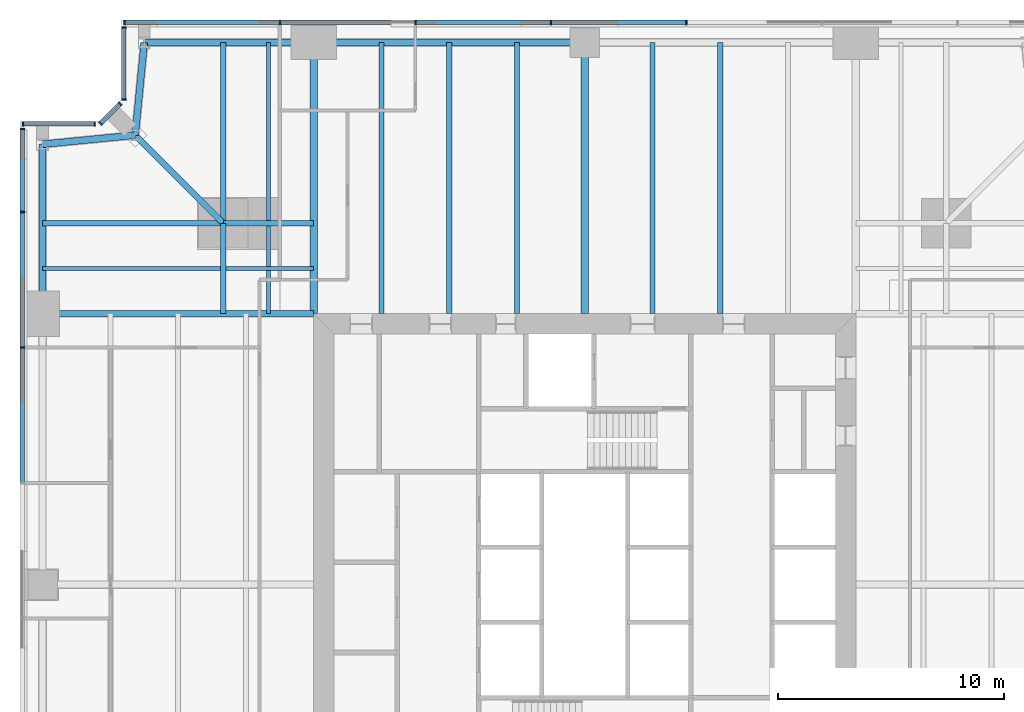
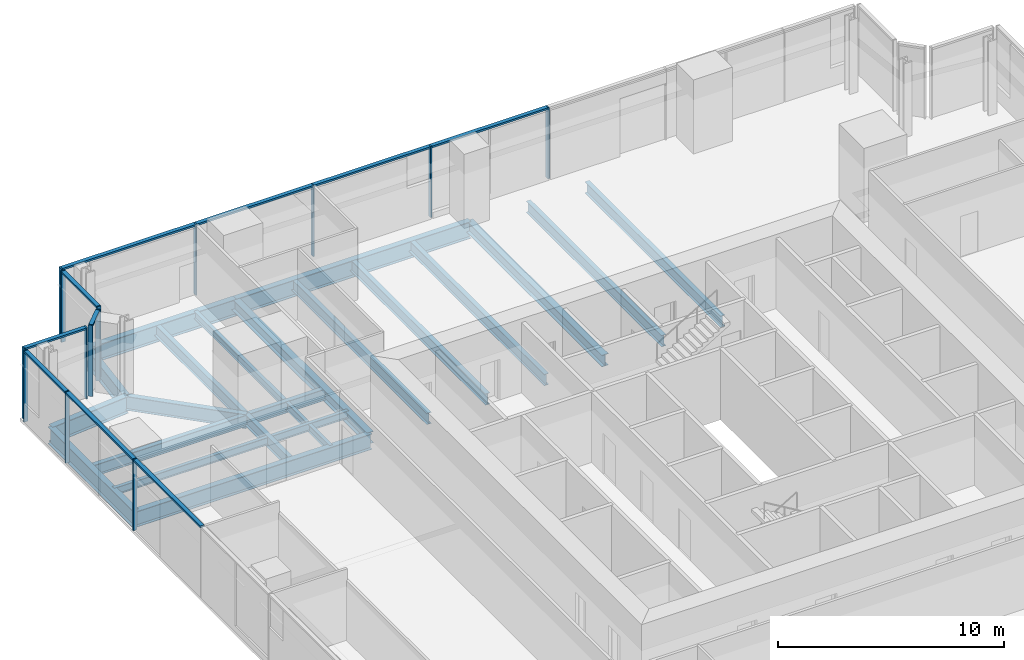
# One storey, part 6 of 14: 24 members, 23 beams, 5 elements without a shape of their own.
"""IFC4 building model written with IfcOpenShell, lengths in metres."""

from ifc_helpers import new_model, si_unit, direction, frame, origin, origin_2d, place, context, subcontext, project, spatial, rectangle, i_section, extrude, material, material_profile, profile_set, type_object, element, aggregate, save


model = new_model("IFC4")

# Units and contexts
model_context = context("Model", 3, precision=1e-05, world=origin(), true_north=direction((0.0, 1.0)))
body_context = subcontext(model_context, "Body", "Model", "MODEL_VIEW")
ifc_project = project(units=[si_unit("LENGTHUNIT", "METRE"), si_unit("AREAUNIT", "SQUARE_METRE"), si_unit("VOLUMEUNIT", "CUBIC_METRE"), si_unit("PLANEANGLEUNIT", "RADIAN"), si_unit("MASSUNIT", "GRAM", prefix="KILO")], contexts=[model_context])

# Site, building, storey
site_placement = place(None, origin())
site = spatial("IfcSite", under=ifc_project, at=site_placement, CompositionType="ELEMENT")
building_placement = place(site_placement, origin())
building = spatial("IfcBuilding", under=site, at=building_placement, Name="Fenwick Lantern Interchange", CompositionType="ELEMENT")
storey_placement = place(building_placement, frame((0.0, 0.0, 150.39990234375)))
storey = spatial("IfcBuildingStorey", under=building, at=storey_placement, Name="L35", CompositionType="ELEMENT", Elevation=150.39990234375)

# Beams
ifc_material_1 = material(Name="Steel ASTM A992 Grade 50", Category="steel")
ifc_material_profile_1 = material_profile(ifc_material_1, i_section(OverallWidth=0.3046875, OverallDepth=0.911865234375, WebThickness=0.015869140625, FlangeThickness=0.02392578125, at=origin_2d()), Name="W36X150")
ifc_profile_set_1 = profile_set([ifc_material_profile_1], Name="Steel ASTM A992 Grade 50")
beam_type_1 = type_object("IfcBeamType", Name="EDGE BEAM W36X150", PredefinedType="SPANDREL", material=ifc_profile_set_1)
beam_1_placement = place(storey_placement, frame((25.0, 49.0, -0.605712890625), z_axis=(-1.0, 0.0, 0.0), x_axis=(0.0, -1.0, 0.0)))
element("IfcBeam", 1, at=beam_1_placement, inside=storey, type_object=beam_type_1, Name="L35/FR/N/EB3", PredefinedType="SPANDREL", context=body_context, shape_type="SweptSolid", body=[
    extrude(i_section(OverallWidth=0.3046875, OverallDepth=0.911865234375, WebThickness=0.015869140625, FlangeThickness=0.02392578125, at=origin_2d()), origin(), (0.0, 0.0, 1.0), 12.0),
])
beam_2_placement = place(storey_placement, frame((13.0, 49.0, -0.605712890625), z_axis=(-1.0, 0.0, 0.0), x_axis=(0.0, -1.0, 0.0)))
element("IfcBeam", 2, at=beam_2_placement, inside=storey, type_object=beam_type_1, Name="L35/FR/N/EB4", PredefinedType="SPANDREL", context=body_context, shape_type="SweptSolid", body=[
    extrude(i_section(OverallWidth=0.3046875, OverallDepth=0.911865234375, WebThickness=0.015869140625, FlangeThickness=0.02392578125, at=origin_2d()), origin(), (0.0, 0.0, 1.0), 7.5),
])
for number, where, z_axis, x_axis, name in (
    (3, (5.5, 49.0, -0.605712890625), (-0.097074191287, -0.995277148028, 0.0), (0.995277148028, -0.097074191287, 0.0), "L35/FR/N/EBR1"),
    (4, (5.10009765625, 44.89990234375, -0.605712890625), (-0.995277148028, -0.097074191287, 0.0), (0.097074191287, -0.995277148028, 0.0), "L35/FR/N/EBR2"),
):
    element("IfcBeam", number, at=place(storey_placement, frame(where, z_axis=z_axis, x_axis=x_axis)), inside=storey, type_object=beam_type_1, Name=name, PredefinedType="SPANDREL", context=body_context, shape_type="SweptSolid", body=[
        extrude(i_section(OverallWidth=0.3046875, OverallDepth=0.911865234375, WebThickness=0.015869140625, FlangeThickness=0.02392578125, at=origin_2d()), origin(), (0.0, 0.0, 1.0), 4.11962890625),
    ])
beam_3_placement = place(storey_placement, frame((1.0, 44.5, -0.605712890625), z_axis=(0.0, -1.0, 0.0), x_axis=(1.0, 0.0, 0.0)))
element("IfcBeam", 5, at=beam_3_placement, inside=storey, type_object=beam_type_1, Name="L35/FR/W/EB1", PredefinedType="SPANDREL", context=body_context, shape_type="SweptSolid", body=[
    extrude(i_section(OverallWidth=0.3046875, OverallDepth=0.911865234375, WebThickness=0.015869140625, FlangeThickness=0.02392578125, at=origin_2d()), origin(), (0.0, 0.0, 1.0), 7.5),
])
ifc_material_profile_2 = material_profile(ifc_material_1, i_section(OverallWidth=0.22900390625, OverallDepth=0.612060546875, WebThickness=0.011962890625, FlangeThickness=0.01953125, at=origin_2d()), Name="W24X84")
ifc_profile_set_2 = profile_set([ifc_material_profile_2], Name="Steel ASTM A992 Grade 50")
beam_type_2 = type_object("IfcBeamType", Name="FLOOR BEAM W24X84", PredefinedType="BEAM", material=ifc_profile_set_2)
for number, where, z_axis, x_axis, name in (
    (6, (31.0, 49.0, -0.4560546875), (0.0, -1.0, 0.0), (1.0, 0.0, 0.0), "L35/FR/N/R03"),
    (7, (28.0, 49.0, -0.4560546875), (0.0, -1.0, 0.0), (1.0, 0.0, 0.0), "L35/FR/N/R04"),
    (8, (22.0, 49.0, -0.4560546875), (0.0, -1.0, 0.0), (1.0, 0.0, 0.0), "L35/FR/N/R06"),
    (9, (19.0, 49.0, -0.4560546875), (0.0, -1.0, 0.0), (1.0, 0.0, 0.0), "L35/FR/N/R07"),
    (10, (16.0, 49.0, -0.4560546875), (0.0, -1.0, 0.0), (1.0, 0.0, 0.0), "L35/FR/N/R08"),
):
    element("IfcBeam", number, at=place(storey_placement, frame(where, z_axis=z_axis, x_axis=x_axis)), inside=storey, type_object=beam_type_2, Name=name, PredefinedType="BEAM", context=body_context, shape_type="SweptSolid", body=[
        extrude(i_section(OverallWidth=0.22900390625, OverallDepth=0.612060546875, WebThickness=0.011962890625, FlangeThickness=0.01953125, at=origin_2d()), origin(), (0.0, 0.0, 1.0), 12.0),
    ])
ifc_material_profile_3 = material_profile(ifc_material_1, i_section(OverallWidth=0.177734375, OverallDepth=0.406494140625, WebThickness=0.0078125, FlangeThickness=0.012939453125, at=origin_2d()), Name="W16X40")
ifc_profile_set_3 = profile_set([ifc_material_profile_3], Name="Steel ASTM A992 Grade 50")
beam_type_3 = type_object("IfcBeamType", Name="INFILL BEAM W16X40", PredefinedType="JOIST", material=ifc_profile_set_3)
beam_4_placement = place(storey_placement, frame((1.0, 39.0, -0.35302734375), z_axis=(1.0, 0.0, 0.0), x_axis=(0.0, 1.0, 0.0)))
element("IfcBeam", 11, at=beam_4_placement, inside=storey, type_object=beam_type_3, Name="L35/FR/W/J1", PredefinedType="JOIST", context=body_context, shape_type="SweptSolid", body=[
    extrude(i_section(OverallWidth=0.177734375, OverallDepth=0.406494140625, WebThickness=0.0078125, FlangeThickness=0.012939453125, at=origin_2d()), origin(), (0.0, 0.0, 1.0), 7.885498046875),
])
beam_5_placement = place(storey_placement, frame((9.114501953125, 39.0, -0.35302734375), z_axis=(1.0, 0.0, 0.0), x_axis=(0.0, 1.0, 0.0)))
element("IfcBeam", 12, at=beam_5_placement, inside=storey, type_object=beam_type_3, Name="L35/FR/W/J2", PredefinedType="JOIST", context=body_context, shape_type="SweptSolid", body=[
    extrude(i_section(OverallWidth=0.177734375, OverallDepth=0.406494140625, WebThickness=0.0078125, FlangeThickness=0.012939453125, at=origin_2d()), origin(), (0.0, 0.0, 1.0), 3.885498046875),
])
beam_6_placement = place(storey_placement, frame((11.0, 49.0, -0.35302734375), z_axis=(0.0, -1.0, 0.0), x_axis=(1.0, 0.0, 0.0)))
element("IfcBeam", 13, at=beam_6_placement, inside=storey, type_object=beam_type_3, Name="L35/FR/W/J3", PredefinedType="JOIST", context=body_context, shape_type="SweptSolid", body=[
    extrude(i_section(OverallWidth=0.177734375, OverallDepth=0.406494140625, WebThickness=0.0078125, FlangeThickness=0.012939453125, at=origin_2d()), origin(), (0.0, 0.0, 1.0), 7.885498046875),
])
beam_7_placement = place(storey_placement, frame((11.0, 40.885498046875, -0.35302734375), z_axis=(0.0, -1.0, 0.0), x_axis=(1.0, 0.0, 0.0)))
element("IfcBeam", 14, at=beam_7_placement, inside=storey, type_object=beam_type_3, Name="L35/FR/W/J4", PredefinedType="JOIST", context=body_context, shape_type="SweptSolid", body=[
    extrude(i_section(OverallWidth=0.177734375, OverallDepth=0.406494140625, WebThickness=0.0078125, FlangeThickness=0.012939453125, at=origin_2d()), origin(), (0.0, 0.0, 1.0), 1.796630859375),
])
beam_8_placement = place(storey_placement, frame((11.0, 38.9111328125, -0.35302734375), z_axis=(0.0, -1.0, 0.0), x_axis=(1.0, 0.0, 0.0)))
element("IfcBeam", 15, at=beam_8_placement, inside=storey, type_object=beam_type_3, Name="L35/FR/W/J5", PredefinedType="JOIST", context=body_context, shape_type="SweptSolid", body=[
    extrude(i_section(OverallWidth=0.177734375, OverallDepth=0.406494140625, WebThickness=0.0078125, FlangeThickness=0.012939453125, at=origin_2d()), origin(), (0.0, 0.0, 1.0), 1.9111328125),
])
ifc_material_profile_4 = material_profile(ifc_material_1, i_section(OverallWidth=0.22900390625, OverallDepth=0.612060546875, WebThickness=0.011962890625, FlangeThickness=0.01953125, at=origin_2d()), Name="W24X84")
ifc_profile_set_4 = profile_set([ifc_material_profile_4], Name="Steel ASTM A992 Grade 50")
beam_type_4 = type_object("IfcBeamType", Name="MEGA COLUMN BEAM W24X84", PredefinedType="BEAM", material=ifc_profile_set_4)
for number, where, z_axis, x_axis, name in (
    (16, (9.0, 41.0, -0.4560546875), (-1.0, 0.0, 0.0), (0.0, -1.0, 0.0), "L35/FR/W/MB1"),
    (17, (9.0, 41.0, -0.4560546875), (0.0, 1.0, 0.0), (-1.0, 0.0, 0.0), "L35/FR/W/MB2"),
):
    element("IfcBeam", number, at=place(storey_placement, frame(where, z_axis=z_axis, x_axis=x_axis)), inside=storey, type_object=beam_type_4, Name=name, PredefinedType="BEAM", context=body_context, shape_type="SweptSolid", body=[
        extrude(i_section(OverallWidth=0.22900390625, OverallDepth=0.612060546875, WebThickness=0.011962890625, FlangeThickness=0.01953125, at=origin_2d()), origin(), (0.0, 0.0, 1.0), 8.0),
    ])
for number, where, z_axis, x_axis, name in (
    (18, (9.0, 41.0, -0.4560546875), (0.0, -1.0, 0.0), (1.0, 0.0, 0.0), "L35/FR/W/MB3"),
    (19, (9.0, 41.0, -0.4560546875), (1.0, 0.0, 0.0), (0.0, 1.0, 0.0), "L35/FR/W/MB4"),
):
    element("IfcBeam", number, at=place(storey_placement, frame(where, z_axis=z_axis, x_axis=x_axis)), inside=storey, type_object=beam_type_4, Name=name, PredefinedType="BEAM", context=body_context, shape_type="SweptSolid", body=[
        extrude(i_section(OverallWidth=0.22900390625, OverallDepth=0.612060546875, WebThickness=0.011962890625, FlangeThickness=0.01953125, at=origin_2d()), origin(), (0.0, 0.0, 1.0), 4.0),
    ])
ifc_material_profile_5 = material_profile(ifc_material_1, i_section(OverallWidth=0.32763671875, OverallDepth=0.622314453125, WebThickness=0.015380859375, FlangeThickness=0.0244140625, at=origin_2d()), Name="W24X131")
ifc_profile_set_5 = profile_set([ifc_material_profile_5], Name="Steel ASTM A992 Grade 50")
beam_type_5 = type_object("IfcBeamType", Name="MOMENT-CONNECTED GIRDER W24X131", PredefinedType="BEAM", material=ifc_profile_set_5)
for number, where, z_axis, x_axis, name in (
    (20, (25.0, 49.0, -0.4609375), (0.0, -1.0, 0.0), (1.0, 0.0, 0.0), "L35/FR/N/R05"),
    (21, (13.0, 49.0, -0.4609375), (0.0, -1.0, 0.0), (1.0, 0.0, 0.0), "L35/FR/N/R09"),
):
    element("IfcBeam", number, at=place(storey_placement, frame(where, z_axis=z_axis, x_axis=x_axis)), inside=storey, type_object=beam_type_5, Name=name, PredefinedType="BEAM", context=body_context, shape_type="SweptSolid", body=[
        extrude(i_section(OverallWidth=0.32763671875, OverallDepth=0.622314453125, WebThickness=0.015380859375, FlangeThickness=0.0244140625, at=origin_2d()), origin(), (0.0, 0.0, 1.0), 12.0),
    ])
ifc_material_profile_6 = material_profile(ifc_material_1, i_section(OverallWidth=0.2919921875, OverallDepth=0.845703125, WebThickness=0.015380859375, FlangeThickness=0.0244140625, at=origin_2d()), Name="W33X141")
ifc_profile_set_6 = profile_set([ifc_material_profile_6], Name="Steel ASTM A992 Grade 50")
beam_type_6 = type_object("IfcBeamType", Name="MOMENT-CONNECTED GIRDER W33X141", PredefinedType="BEAM", material=ifc_profile_set_6)
beam_9_placement = place(storey_placement, frame((1.0, 37.0, -0.57275390625), z_axis=(1.0, 0.0, 0.0), x_axis=(0.0, 1.0, 0.0)))
element("IfcBeam", 22, at=beam_9_placement, inside=storey, type_object=beam_type_6, Name="L35/FR/W/R01", PredefinedType="BEAM", context=body_context, shape_type="SweptSolid", body=[
    extrude(i_section(OverallWidth=0.2919921875, OverallDepth=0.845703125, WebThickness=0.015380859375, FlangeThickness=0.0244140625, at=origin_2d()), origin(), (0.0, 0.0, 1.0), 12.0),
])
ifc_material_profile_7 = material_profile(ifc_material_1, i_section(OverallWidth=0.2666015625, OverallDepth=0.7568359375, WebThickness=0.013916015625, FlangeThickness=0.019287109375, at=origin_2d()), Name="W30X108")
ifc_profile_set_7 = profile_set([ifc_material_profile_7], Name="Steel ASTM A992 Grade 50")
beam_type_7 = type_object("IfcBeamType", Name="NOTCH BEAM W30X108", PredefinedType="BEAM", material=ifc_profile_set_7)
beam_10_placement = place(storey_placement, frame((9.0, 41.0, -0.5283203125), z_axis=(-0.707106781187, 0.707106781187, 0.0), x_axis=(-0.707106781187, -0.707106781187, 0.0)))
element("IfcBeam", 23, at=beam_10_placement, inside=storey, type_object=beam_type_7, Name="L35/FR/W/TG", PredefinedType="BEAM", context=body_context, shape_type="SweptSolid", body=[
    extrude(i_section(OverallWidth=0.2666015625, OverallDepth=0.7568359375, WebThickness=0.013916015625, FlangeThickness=0.019287109375, at=origin_2d()), origin(), (0.0, 0.0, 1.0), 5.515380859375),
])

# Curtain wall, members
ifc_material_2 = material(Name="Aluminium curtain wall frame", Category="aluminium")
curtain_wall_type = type_object("IfcCurtainWallType", Name="OFFICE CURTAIN WALL", PredefinedType="USERDEFINED", material=ifc_material_2)
curtain_wall_1_placement = place(storey_placement, origin())
curtain_wall_1 = element("IfcCurtainWall", 24, at=curtain_wall_1_placement, inside=storey, type_object=curtain_wall_type, Name="Office curtain wall 09", ObjectType="OFFICE CURTAIN WALL", PredefinedType="USERDEFINED")
ifc_material_3 = material(Name="Aluminium extrusion", Category="aluminium")
ifc_material_profile_8 = material_profile(ifc_material_3, rectangle(XDim=0.199951171875, YDim=0.06494140625, at=origin_2d()), Name="OFFICE CURTAIN WALL MULLION 65 X 200")
ifc_profile_set_8 = profile_set([ifc_material_profile_8], Name="Aluminium extrusion")
member_type_1 = type_object("IfcMemberType", Name="OFFICE CURTAIN WALL MULLION 65 X 200", PredefinedType="MULLION", material=ifc_profile_set_8)
member_1_placement = place(storey_placement, frame((29.5, 49.89990234375, 0.0), z_axis=(0.0, 0.0, 1.0), x_axis=(0.0, -1.0, 0.0)))
member_1 = element("IfcMember", 25, at=member_1_placement, type_object=member_type_1, Name="L35/CW/09/M03", PredefinedType="MULLION", context=body_context, shape_type="SweptSolid", body=[
    extrude(rectangle(XDim=0.199951171875, YDim=0.06494140625, at=origin_2d()), origin(), (0.0, 0.0, 1.0), 3.85009765625),
])
member_2_placement = place(storey_placement, frame((23.5, 49.89990234375, 0.0), z_axis=(0.0, 0.0, 1.0), x_axis=(0.0, -1.0, 0.0)))
member_2 = element("IfcMember", 26, at=member_2_placement, type_object=member_type_1, Name="L35/CW/09/M04", PredefinedType="MULLION", context=body_context, shape_type="SweptSolid", body=[
    extrude(rectangle(XDim=0.199951171875, YDim=0.06494140625, at=origin_2d()), origin(), (0.0, 0.0, 1.0), 3.85009765625),
])
member_3_placement = place(storey_placement, frame((17.5, 49.89990234375, 0.0), z_axis=(0.0, 0.0, 1.0), x_axis=(0.0, -1.0, 0.0)))
member_3 = element("IfcMember", 27, at=member_3_placement, type_object=member_type_1, Name="L35/CW/09/M05", PredefinedType="MULLION", context=body_context, shape_type="SweptSolid", body=[
    extrude(rectangle(XDim=0.199951171875, YDim=0.06494140625, at=origin_2d()), origin(), (0.0, 0.0, 1.0), 3.85009765625),
])
member_4_placement = place(storey_placement, frame((11.5, 49.89990234375, 0.0), z_axis=(0.0, 0.0, 1.0), x_axis=(0.0, -1.0, 0.0)))
member_4 = element("IfcMember", 28, at=member_4_placement, type_object=member_type_1, Name="L35/CW/09/M06", PredefinedType="MULLION", context=body_context, shape_type="SweptSolid", body=[
    extrude(rectangle(XDim=0.199951171875, YDim=0.06494140625, at=origin_2d()), origin(), (0.0, 0.0, 1.0), 3.85009765625),
])
member_5_placement = place(storey_placement, frame((4.632568359375, 49.89990234375, 0.0), z_axis=(0.0, 0.0, 1.0), x_axis=(0.0, -1.0, 0.0)))
member_5 = element("IfcMember", 29, at=member_5_placement, type_object=member_type_1, Name="L35/CW/09/M07", PredefinedType="MULLION", context=body_context, shape_type="SweptSolid", body=[
    extrude(rectangle(XDim=0.199951171875, YDim=0.06494140625, at=origin_2d()), origin(), (0.0, 0.0, 1.0), 3.85009765625),
])

curtain_wall_2_placement = place(storey_placement, origin())
curtain_wall_2 = element("IfcCurtainWall", 30, at=curtain_wall_2_placement, inside=storey, type_object=curtain_wall_type, Name="Office curtain wall 10", ObjectType="OFFICE CURTAIN WALL", PredefinedType="USERDEFINED")
member_6_placement = place(storey_placement, frame((4.60009765625, 49.66748046875, 0.0), z_axis=(0.0, 0.0, 1.0), x_axis=(1.0, 0.0, 0.0)))
member_6 = element("IfcMember", 31, at=member_6_placement, type_object=member_type_1, Name="L35/CW/10/M00", PredefinedType="MULLION", context=body_context, shape_type="SweptSolid", body=[
    extrude(rectangle(XDim=0.199951171875, YDim=0.06494140625, at=origin_2d()), origin(), (0.0, 0.0, 1.0), 3.85009765625),
])
member_7_placement = place(storey_placement, frame((4.60009765625, 46.490966796875, 0.0), z_axis=(0.0, 0.0, 1.0), x_axis=(1.0, 0.0, 0.0)))
member_7 = element("IfcMember", 32, at=member_7_placement, type_object=member_type_1, Name="L35/CW/10/M01", PredefinedType="MULLION", context=body_context, shape_type="SweptSolid", body=[
    extrude(rectangle(XDim=0.199951171875, YDim=0.06494140625, at=origin_2d()), origin(), (0.0, 0.0, 1.0), 3.85009765625),
])

curtain_wall_3_placement = place(storey_placement, origin())
curtain_wall_3 = element("IfcCurtainWall", 33, at=curtain_wall_3_placement, inside=storey, type_object=curtain_wall_type, Name="Office curtain wall 11", ObjectType="OFFICE CURTAIN WALL", PredefinedType="USERDEFINED")
member_8_placement = place(storey_placement, frame((4.435546875, 46.294189453125, 0.0), z_axis=(0.0, 0.0, 1.0), x_axis=(0.707106781187, -0.707106781187, 0.0)))
member_8 = element("IfcMember", 34, at=member_8_placement, type_object=member_type_1, Name="L35/CW/11/M00", PredefinedType="MULLION", context=body_context, shape_type="SweptSolid", body=[
    extrude(rectangle(XDim=0.199951171875, YDim=0.06494140625, at=origin_2d()), origin(), (0.0, 0.0, 1.0), 3.85009765625),
])
member_9_placement = place(storey_placement, frame((3.564453125, 45.423095703125, 0.0), z_axis=(0.0, 0.0, 1.0), x_axis=(0.707106781187, -0.707106781187, 0.0)))
member_9 = element("IfcMember", 35, at=member_9_placement, type_object=member_type_1, Name="L35/CW/11/M01", PredefinedType="MULLION", context=body_context, shape_type="SweptSolid", body=[
    extrude(rectangle(XDim=0.199951171875, YDim=0.06494140625, at=origin_2d()), origin(), (0.0, 0.0, 1.0), 3.85009765625),
])

curtain_wall_4_placement = place(storey_placement, origin())
curtain_wall_4 = element("IfcCurtainWall", 36, at=curtain_wall_4_placement, inside=storey, type_object=curtain_wall_type, Name="Office curtain wall 12", ObjectType="OFFICE CURTAIN WALL", PredefinedType="USERDEFINED")
member_10_placement = place(storey_placement, frame((3.308837890625, 45.39990234375, 0.0), z_axis=(0.0, 0.0, 1.0), x_axis=(0.0, -1.0, 0.0)))
member_10 = element("IfcMember", 37, at=member_10_placement, type_object=member_type_1, Name="L35/CW/12/M00", PredefinedType="MULLION", context=body_context, shape_type="SweptSolid", body=[
    extrude(rectangle(XDim=0.199951171875, YDim=0.06494140625, at=origin_2d()), origin(), (0.0, 0.0, 1.0), 3.85009765625),
])
member_11_placement = place(storey_placement, frame((0.132568359375, 45.39990234375, 0.0), z_axis=(0.0, 0.0, 1.0), x_axis=(0.0, -1.0, 0.0)))
member_11 = element("IfcMember", 38, at=member_11_placement, type_object=member_type_1, Name="L35/CW/12/M01", PredefinedType="MULLION", context=body_context, shape_type="SweptSolid", body=[
    extrude(rectangle(XDim=0.199951171875, YDim=0.06494140625, at=origin_2d()), origin(), (0.0, 0.0, 1.0), 3.85009765625),
])

curtain_wall_5_placement = place(storey_placement, origin())
curtain_wall_5 = element("IfcCurtainWall", 39, at=curtain_wall_5_placement, inside=storey, type_object=curtain_wall_type, Name="Office curtain wall 13", ObjectType="OFFICE CURTAIN WALL", PredefinedType="USERDEFINED")
member_12_placement = place(storey_placement, frame((0.10009765625, 45.16748046875, 0.0), z_axis=(0.0, 0.0, 1.0), x_axis=(1.0, 0.0, 0.0)))
member_12 = element("IfcMember", 40, at=member_12_placement, type_object=member_type_1, Name="L35/CW/13/M00", PredefinedType="MULLION", context=body_context, shape_type="SweptSolid", body=[
    extrude(rectangle(XDim=0.199951171875, YDim=0.06494140625, at=origin_2d()), origin(), (0.0, 0.0, 1.0), 3.85009765625),
])
member_13_placement = place(storey_placement, frame((0.10009765625, 41.5, 0.0), z_axis=(0.0, 0.0, 1.0), x_axis=(1.0, 0.0, 0.0)))
member_13 = element("IfcMember", 41, at=member_13_placement, type_object=member_type_1, Name="L35/CW/13/M01", PredefinedType="MULLION", context=body_context, shape_type="SweptSolid", body=[
    extrude(rectangle(XDim=0.199951171875, YDim=0.06494140625, at=origin_2d()), origin(), (0.0, 0.0, 1.0), 3.85009765625),
])
member_14_placement = place(storey_placement, frame((0.10009765625, 35.5, 0.0), z_axis=(0.0, 0.0, 1.0), x_axis=(1.0, 0.0, 0.0)))
member_14 = element("IfcMember", 42, at=member_14_placement, type_object=member_type_1, Name="L35/CW/13/M02", PredefinedType="MULLION", context=body_context, shape_type="SweptSolid", body=[
    extrude(rectangle(XDim=0.199951171875, YDim=0.06494140625, at=origin_2d()), origin(), (0.0, 0.0, 1.0), 3.85009765625),
])

# Member
ifc_material_profile_9 = material_profile(ifc_material_3, rectangle(XDim=0.199951171875, YDim=0.10009765625, at=origin_2d()), Name="OFFICE CURTAIN WALL TRANSOM 100 X 200")
ifc_profile_set_9 = profile_set([ifc_material_profile_9], Name="Aluminium extrusion")
member_type_2 = type_object("IfcMemberType", Name="OFFICE CURTAIN WALL TRANSOM 100 X 200", PredefinedType="MULLION", material=ifc_profile_set_9)
member_15_placement = place(storey_placement, frame((29.467529296875, 49.89990234375, 3.800048828125), z_axis=(-1.0, 0.0, 0.0), x_axis=(0.0, -1.0, 0.0)))
member_15 = element("IfcMember", 43, at=member_15_placement, type_object=member_type_2, Name="L35/CW/09/T03", PredefinedType="MULLION", context=body_context, shape_type="SweptSolid", body=[
    extrude(rectangle(XDim=0.199951171875, YDim=0.10009765625, at=origin_2d()), origin(), (0.0, 0.0, 1.0), 5.93505859375),
])

member_16_placement = place(storey_placement, frame((23.467529296875, 49.89990234375, 3.800048828125), z_axis=(-1.0, 0.0, 0.0), x_axis=(0.0, -1.0, 0.0)))
member_16 = element("IfcMember", 44, at=member_16_placement, type_object=member_type_2, Name="L35/CW/09/T04", PredefinedType="MULLION", context=body_context, shape_type="SweptSolid", body=[
    extrude(rectangle(XDim=0.199951171875, YDim=0.10009765625, at=origin_2d()), origin(), (0.0, 0.0, 1.0), 5.93505859375),
])

member_17_placement = place(storey_placement, frame((17.467529296875, 49.89990234375, 3.800048828125), z_axis=(-1.0, 0.0, 0.0), x_axis=(0.0, -1.0, 0.0)))
member_17 = element("IfcMember", 45, at=member_17_placement, type_object=member_type_2, Name="L35/CW/09/T05", PredefinedType="MULLION", context=body_context, shape_type="SweptSolid", body=[
    extrude(rectangle(XDim=0.199951171875, YDim=0.10009765625, at=origin_2d()), origin(), (0.0, 0.0, 1.0), 5.93505859375),
])

member_18_placement = place(storey_placement, frame((11.467529296875, 49.89990234375, 3.800048828125), z_axis=(-1.0, 0.0, 0.0), x_axis=(0.0, -1.0, 0.0)))
member_18 = element("IfcMember", 46, at=member_18_placement, type_object=member_type_2, Name="L35/CW/09/T06", PredefinedType="MULLION", context=body_context, shape_type="SweptSolid", body=[
    extrude(rectangle(XDim=0.199951171875, YDim=0.10009765625, at=origin_2d()), origin(), (0.0, 0.0, 1.0), 6.802490234375),
])

aggregate(curtain_wall_1, [member_1, member_2, member_3, member_4, member_5, member_15, member_16, member_17, member_18])

member_19_placement = place(storey_placement, frame((4.60009765625, 49.635009765625, 3.800048828125), z_axis=(0.0, -1.0, 0.0), x_axis=(1.0, 0.0, 0.0)))
member_19 = element("IfcMember", 47, at=member_19_placement, type_object=member_type_2, Name="L35/CW/10/T00", PredefinedType="MULLION", context=body_context, shape_type="SweptSolid", body=[
    extrude(rectangle(XDim=0.199951171875, YDim=0.10009765625, at=origin_2d()), origin(), (0.0, 0.0, 1.0), 3.111328125),
])

aggregate(curtain_wall_2, [member_6, member_7, member_19])

member_20_placement = place(storey_placement, frame((4.41259765625, 46.271240234375, 3.800048828125), z_axis=(-0.707106781187, -0.707106781187, 0.0), x_axis=(0.707106781187, -0.707106781187, 0.0)))
member_20 = element("IfcMember", 48, at=member_20_placement, type_object=member_type_2, Name="L35/CW/11/T00", PredefinedType="MULLION", context=body_context, shape_type="SweptSolid", body=[
    extrude(rectangle(XDim=0.199951171875, YDim=0.10009765625, at=origin_2d()), origin(), (0.0, 0.0, 1.0), 1.1669921875),
])

aggregate(curtain_wall_3, [member_8, member_9, member_20])

member_21_placement = place(storey_placement, frame((3.2763671875, 45.39990234375, 3.800048828125), z_axis=(-1.0, 0.0, 0.0), x_axis=(0.0, -1.0, 0.0)))
member_21 = element("IfcMember", 49, at=member_21_placement, type_object=member_type_2, Name="L35/CW/12/T00", PredefinedType="MULLION", context=body_context, shape_type="SweptSolid", body=[
    extrude(rectangle(XDim=0.199951171875, YDim=0.10009765625, at=origin_2d()), origin(), (0.0, 0.0, 1.0), 3.111328125),
])

aggregate(curtain_wall_4, [member_10, member_11, member_21])

member_22_placement = place(storey_placement, frame((0.10009765625, 45.135009765625, 3.800048828125), z_axis=(0.0, -1.0, 0.0), x_axis=(1.0, 0.0, 0.0)))
member_22 = element("IfcMember", 50, at=member_22_placement, type_object=member_type_2, Name="L35/CW/13/T00", PredefinedType="MULLION", context=body_context, shape_type="SweptSolid", body=[
    extrude(rectangle(XDim=0.199951171875, YDim=0.10009765625, at=origin_2d()), origin(), (0.0, 0.0, 1.0), 3.6025390625),
])

member_23_placement = place(storey_placement, frame((0.10009765625, 41.467529296875, 3.800048828125), z_axis=(0.0, -1.0, 0.0), x_axis=(1.0, 0.0, 0.0)))
member_23 = element("IfcMember", 51, at=member_23_placement, type_object=member_type_2, Name="L35/CW/13/T01", PredefinedType="MULLION", context=body_context, shape_type="SweptSolid", body=[
    extrude(rectangle(XDim=0.199951171875, YDim=0.10009765625, at=origin_2d()), origin(), (0.0, 0.0, 1.0), 5.93505859375),
])

member_24_placement = place(storey_placement, frame((0.10009765625, 35.467529296875, 3.800048828125), z_axis=(0.0, -1.0, 0.0), x_axis=(1.0, 0.0, 0.0)))
member_24 = element("IfcMember", 52, at=member_24_placement, type_object=member_type_2, Name="L35/CW/13/T02", PredefinedType="MULLION", context=body_context, shape_type="SweptSolid", body=[
    extrude(rectangle(XDim=0.199951171875, YDim=0.10009765625, at=origin_2d()), origin(), (0.0, 0.0, 1.0), 5.93505859375),
])

aggregate(curtain_wall_5, [member_12, member_13, member_14, member_22, member_23, member_24])

save(model, "model.ifc")
